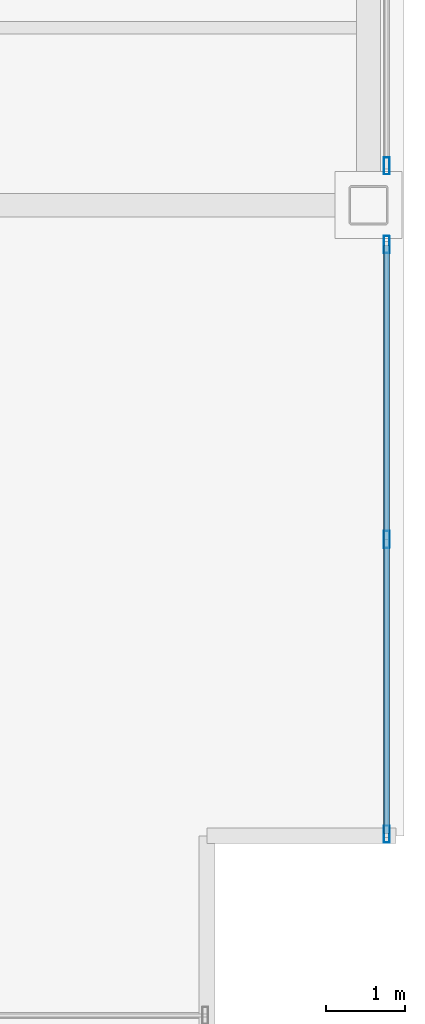
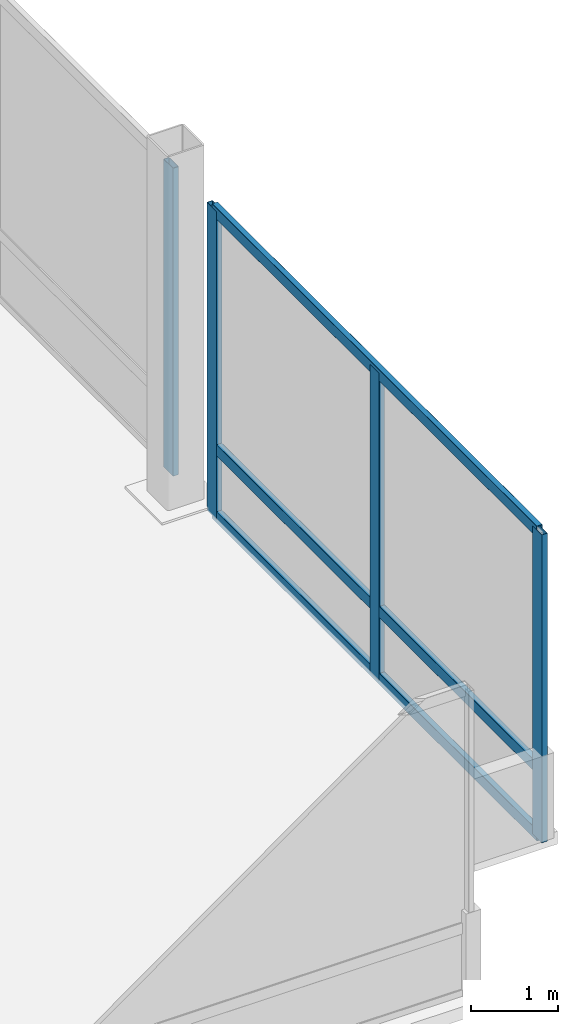
# One storey, part 11 of 22: 7 members, 2 elements without a shape of their own.
"""IFC4 building model written with IfcOpenShell, lengths in metres."""

import ifcopenshell
import ifcopenshell.guid

model = None  # the IFC model being written
_history = None  # IfcOwnerHistory: only IFC2X3 demands one
_inside = {}  # id of a spatial element -> (the spatial element, [elements in it])
_under = {}  # id of a project, library or spatial element -> (it, [spatial elements below it])
_declared = {}  # id of a project -> (the project, [libraries it declares])
_typed = {}  # id of a type object -> (the type object, [elements of that type])
_made_of = {}  # id of a material, layer set ... -> (it, [elements and type objects made of it])


def new_model(schema):
    """Start an empty IFC model of exactly this schema.

    Asked for "IFC4X3", IfcOpenShell would pick the latest addendum, in which some entities
    have other attributes; the version numbers below select the first issue.
    IFC2X3 requires an IfcOwnerHistory on every rooted entity: one is made here for all.
    """
    global model, _history
    if schema == "IFC4X3":
        model = ifcopenshell.file(schema_version=(4, 3, 0, 0))
    else:
        model = ifcopenshell.file(schema=schema)
    _inside.clear()
    _under.clear()
    _declared.clear()
    _typed.clear()
    _made_of.clear()
    _history = None
    if model.schema == "IFC2X3":
        org = make("IfcOrganization", Name="unknown")
        user = make(
            "IfcPersonAndOrganization",
            ThePerson=make("IfcPerson", FamilyName="unknown"),
            TheOrganization=org,
        )
        app = make(
            "IfcApplication",
            ApplicationDeveloper=org,
            Version="unknown",
            ApplicationFullName="unknown",
            ApplicationIdentifier="unknown",
        )
        _history = make(
            "IfcOwnerHistory",
            OwningUser=user,
            OwningApplication=app,
            ChangeAction="ADDED",
            CreationDate=0,
        )
    return model


def make(cls, **values):
    """One entity of the class cls with the attributes given. An attribute that is None is left unset."""
    return model.create_entity(
        cls, **{name: value for name, value in values.items() if value is not None}
    )


def rooted(cls, **values):
    """An entity with a GlobalId (a new one), such as an element, a storey or a relation."""
    return make(cls, GlobalId=ifcopenshell.guid.new(), OwnerHistory=_history, **values)


def si_unit(unit_type, name, prefix=None):
    """IfcSIUnit, for example si_unit("LENGTHUNIT", "METRE", prefix="MILLI")."""
    return make("IfcSIUnit", UnitType=unit_type, Prefix=prefix, Name=name)


def assignment(units):
    """IfcUnitAssignment: the units of a project."""
    return None if units is None else make("IfcUnitAssignment", Units=units)


def point(xyz):
    """IfcCartesianPoint."""
    return None if xyz is None else make("IfcCartesianPoint", Coordinates=xyz)


def direction(xyz):
    """IfcDirection."""
    return None if xyz is None else make("IfcDirection", DirectionRatios=xyz)


def frame(location, z_axis=None, x_axis=None):
    """IfcAxis2Placement3D, a coordinate frame: its origin and axes. An axis left out is left unset."""
    return make(
        "IfcAxis2Placement3D",
        Location=point(location),
        Axis=direction(z_axis),
        RefDirection=direction(x_axis),
    )


def frame_2d(location, x_axis=None):
    """IfcAxis2Placement2D, a coordinate frame in the plane: its origin and x axis."""
    return make(
        "IfcAxis2Placement2D", Location=point(location), RefDirection=direction(x_axis)
    )


def origin():
    """The frame at (0, 0, 0) with its axes left unset."""
    return frame((0.0, 0.0, 0.0))


def origin_2d():
    """The frame at (0, 0) in the plane with its x axis left unset."""
    return frame_2d((0.0, 0.0))


def place(relative_to, where):
    """IfcLocalPlacement: puts the frame where relative to a parent placement (None: the world)."""
    return make(
        "IfcLocalPlacement", PlacementRelTo=relative_to, RelativePlacement=where
    )


def context(
    kind, dimensions, precision=None, world=None, true_north=None, identifier=None
):
    """IfcGeometricRepresentationContext, for example the 3D "Model" context."""
    return make(
        "IfcGeometricRepresentationContext",
        ContextIdentifier=identifier,
        ContextType=kind,
        CoordinateSpaceDimension=dimensions,
        Precision=precision,
        WorldCoordinateSystem=world,
        TrueNorth=true_north,
    )


def subcontext(parent, identifier, kind, view, scale=None):
    """IfcGeometricRepresentationSubContext, for example "Body" below "Model"."""
    return make(
        "IfcGeometricRepresentationSubContext",
        ContextIdentifier=identifier,
        ContextType=kind,
        ParentContext=parent,
        TargetScale=scale,
        TargetView=view,
    )


def project(units=None, contexts=None):
    """IfcProject with its units and contexts."""
    return rooted(
        "IfcProject",
        Name="project",
        RepresentationContexts=contexts,
        UnitsInContext=assignment(units),
    )


def spatial(cls, under=None, at=None, **own):
    """A site, building, storey or space (cls), placed at a placement, below another one or the project."""
    s = rooted(cls, ObjectPlacement=at, **own)
    if under is not None:
        _under.setdefault(under.id(), (under, []))[1].append(s)
    return s


def profile(cls, at=None, kind="AREA", **sizes):
    """A parametric profile (cls). Its sizes go by their IFC names, for example OverallWidth=200.0."""
    return make(cls, ProfileType=kind, Position=at, **sizes)


def hollow_rectangle(**sizes):
    """IfcRectangleHollowProfileDef."""
    return profile("IfcRectangleHollowProfileDef", **sizes)


def extrude(swept, where, along, depth):
    """IfcExtrudedAreaSolid: the profile swept, set in the frame where, extruded along a direction by depth."""
    return make(
        "IfcExtrudedAreaSolid",
        SweptArea=swept,
        Position=where,
        ExtrudedDirection=direction(along),
        Depth=depth,
    )


def shape(context_of_items, identifier, shape_type, items):
    """IfcShapeRepresentation: the items that make up one representation, for example the "Body"."""
    return make(
        "IfcShapeRepresentation",
        ContextOfItems=context_of_items,
        RepresentationIdentifier=identifier,
        RepresentationType=shape_type,
        Items=items,
    )


def material(Name=None, Category=None):
    """IfcMaterial."""
    return make("IfcMaterial", Name=Name, Category=Category)


def material_profile(
    of_material, cross_section, Name=None, Category=None, Priority=None
):
    """IfcMaterialProfile: a cross section and its material."""
    return make(
        "IfcMaterialProfile",
        Name=Name,
        Material=of_material,
        Profile=cross_section,
        Priority=Priority,
        Category=Category,
    )


def profile_set(profiles, Name=None, composite=None):
    """IfcMaterialProfileSet."""
    return make(
        "IfcMaterialProfileSet",
        Name=Name,
        MaterialProfiles=profiles,
        CompositeProfile=composite,
    )


def made_of(thing, what):
    """Note that an element or type object is made of a material, layer set ...; save() writes the relation."""
    if what is not None:
        _made_of.setdefault(what.id(), (what, []))[1].append(thing)
    return thing


def type_object(cls, material=None, **own):
    """A type object (cls), such as IfcWallType, which elements share."""
    return made_of(rooted(cls, **own), material)


def element(
    cls,
    number,
    at=None,
    inside=None,
    cuts=None,
    type_object=None,
    material=None,
    context=None,
    identifier="Body",
    shape_type=None,
    held_by="IfcProductDefinitionShape",
    body=None,
    shapes=None,
    **own,
):
    """One element of the class cls, such as IfcWall. Its Tag is "e" and its number.

    at: its placement. inside: the storey or other place that contains it. cuts: it is an
    opening in that element (IfcRelVoidsElement). A single representation is given by context,
    identifier, shape_type and body (its items); several are given by shapes. held_by: the class
    of the entity that holds the representations. save() writes the other relations.
    """
    e = rooted(cls, Tag="e%d" % number, ObjectPlacement=at, **own)
    if body is not None:
        shapes = [shape(context, identifier, shape_type, body)]
    if shapes is not None:
        e.Representation = make(held_by, Representations=shapes)
    if inside is not None:
        _inside.setdefault(inside.id(), (inside, []))[1].append(e)
    if cuts is not None:
        rooted(
            "IfcRelVoidsElement", RelatingBuildingElement=cuts, RelatedOpeningElement=e
        )
    if type_object is not None:
        _typed.setdefault(type_object.id(), (type_object, []))[1].append(e)
    return made_of(e, material)


def aggregate(whole, parts):
    """IfcRelAggregates: a whole, such as a stair, and the parts it consists of."""
    return rooted("IfcRelAggregates", RelatingObject=whole, RelatedObjects=parts)


def save(model, path):
    """Write the relations noted so far, then the file.

    IfcRelAggregates (storeys below a building ...), IfcRelContainedInSpatialStructure (elements
    in a storey), IfcRelDefinesByType, IfcRelAssociatesMaterial and IfcRelDeclares: one each for
    every whole, place, type object, material and project.
    """
    for whole, parts in _under.values():
        aggregate(whole, parts)
    for where, things in _inside.values():
        rooted(
            "IfcRelContainedInSpatialStructure",
            RelatedElements=things,
            RelatingStructure=where,
        )
    for kind, things in _typed.values():
        rooted("IfcRelDefinesByType", RelatedObjects=things, RelatingType=kind)
    for what, things in _made_of.values():
        rooted("IfcRelAssociatesMaterial", RelatedObjects=things, RelatingMaterial=what)
    for by, libraries in _declared.values():
        rooted("IfcRelDeclares", RelatingContext=by, RelatedDefinitions=libraries)
    model.write(path)


model = new_model("IFC4")

# Units and contexts
model_context = context("Model", 3, precision=1e-05, world=origin(), true_north=direction((0.0, 1.0)))
body_context = subcontext(model_context, "Body", "Model", "MODEL_VIEW")
ifc_project = project(units=[si_unit("LENGTHUNIT", "METRE"), si_unit("AREAUNIT", "SQUARE_METRE"), si_unit("VOLUMEUNIT", "CUBIC_METRE"), si_unit("PLANEANGLEUNIT", "RADIAN"), si_unit("MASSUNIT", "GRAM", prefix="KILO")], contexts=[model_context])

# Site, building, storey
site_placement = place(None, origin())
site = spatial("IfcSite", under=ifc_project, at=site_placement, CompositionType="ELEMENT")
building_placement = place(site_placement, origin())
building = spatial("IfcBuilding", under=site, at=building_placement, Name="Noeulbin Bourse Tower", CompositionType="ELEMENT")
storey_placement = place(building_placement, frame((0.0, 0.0, 106.0)))
storey = spatial("IfcBuildingStorey", under=building, at=storey_placement, Name="L26", CompositionType="ELEMENT", Elevation=106.0)

# Curtain wall, members
ifc_material_1 = material(Name="Dark Tinted Triple Glazing", Category="glass")
curtain_wall_type = type_object("IfcCurtainWallType", Name="CW-SYS-3", PredefinedType="NOTDEFINED", material=ifc_material_1)
curtain_wall_1_placement = place(storey_placement, origin())
curtain_wall_1 = element("IfcCurtainWall", 1, at=curtain_wall_1_placement, inside=storey, type_object=curtain_wall_type, Name="Unitised Curtain Wall CW-L26-E-S1", PredefinedType="NOTDEFINED")
ifc_material_2 = material(Name="Anodised Aluminium 6063-T6", Category="aluminium")
ifc_material_profile_1 = material_profile(ifc_material_2, hollow_rectangle(XDim=0.074951171875, YDim=0.219970703125, WallThickness=0.0048828125, InnerFilletRadius=0.00244140625, OuterFilletRadius=0.0048828125, at=origin_2d()), Name="ALU-MULL-75x220x5", Category="LoadBearing")
ifc_profile_set_1 = profile_set([ifc_material_profile_1], Name="Anodised Aluminium 6063-T6")
member_type_1 = type_object("IfcMemberType", Name="CW-SYS-3-MUL", PredefinedType="MULLION", material=ifc_profile_set_1)
member_1_placement = place(storey_placement, frame((57.280029296875, 12.02001953125, -0.02001953125), z_axis=(0.0, 0.0, 1.0), x_axis=(1.0, 0.0, 0.0)))
member_1 = element("IfcMember", 2, at=member_1_placement, type_object=member_type_1, Name="Curtain Wall Mullion CW-L26-E-S1-M00", PredefinedType="MULLION", context=body_context, shape_type="SweptSolid", body=[
    extrude(hollow_rectangle(XDim=0.074951171875, YDim=0.219970703125, WallThickness=0.0048828125, InnerFilletRadius=0.00244140625, OuterFilletRadius=0.0048828125, at=origin_2d()), origin(), (0.0, 0.0, 1.0), 4.320068359375),
])
member_2_placement = place(storey_placement, frame((57.280029296875, 15.760009765625, -0.02001953125), z_axis=(0.0, 0.0, 1.0), x_axis=(1.0, 0.0, 0.0)))
member_2 = element("IfcMember", 3, at=member_2_placement, type_object=member_type_1, Name="Curtain Wall Mullion CW-L26-E-S1-M01", PredefinedType="MULLION", context=body_context, shape_type="SweptSolid", body=[
    extrude(hollow_rectangle(XDim=0.074951171875, YDim=0.219970703125, WallThickness=0.0048828125, InnerFilletRadius=0.00244140625, OuterFilletRadius=0.0048828125, at=origin_2d()), origin(), (0.0, 0.0, 1.0), 4.320068359375),
])
member_3_placement = place(storey_placement, frame((57.280029296875, 19.5, -0.02001953125), z_axis=(0.0, 0.0, 1.0), x_axis=(1.0, 0.0, 0.0)))
member_3 = element("IfcMember", 4, at=member_3_placement, type_object=member_type_1, Name="Curtain Wall Mullion CW-L26-E-S1-M02", PredefinedType="MULLION", context=body_context, shape_type="SweptSolid", body=[
    extrude(hollow_rectangle(XDim=0.074951171875, YDim=0.219970703125, WallThickness=0.0048828125, InnerFilletRadius=0.00244140625, OuterFilletRadius=0.0048828125, at=origin_2d()), origin(), (0.0, 0.0, 1.0), 4.320068359375),
])

# Curtain wall, member
curtain_wall_2_placement = place(storey_placement, origin())
curtain_wall_2 = element("IfcCurtainWall", 5, at=curtain_wall_2_placement, inside=storey, type_object=curtain_wall_type, Name="Unitised Curtain Wall CW-L26-E-S2", PredefinedType="NOTDEFINED")
member_4_placement = place(storey_placement, frame((57.280029296875, 20.5, -0.02001953125), z_axis=(0.0, 0.0, 1.0), x_axis=(1.0, 0.0, 0.0)))
member_4 = element("IfcMember", 6, at=member_4_placement, type_object=member_type_1, Name="Curtain Wall Mullion CW-L26-E-S2-M00", PredefinedType="MULLION", context=body_context, shape_type="SweptSolid", body=[
    extrude(hollow_rectangle(XDim=0.074951171875, YDim=0.219970703125, WallThickness=0.0048828125, InnerFilletRadius=0.00244140625, OuterFilletRadius=0.0048828125, at=origin_2d()), origin(), (0.0, 0.0, 1.0), 4.320068359375),
])
aggregate(curtain_wall_2, [member_4])

# Member
ifc_material_profile_2 = material_profile(ifc_material_2, hollow_rectangle(XDim=0.074951171875, YDim=0.159912109375, WallThickness=0.0048828125, InnerFilletRadius=0.00244140625, OuterFilletRadius=0.0048828125, at=origin_2d()), Name="ALU-TRAN-75x160x5", Category="LoadBearing")
ifc_profile_set_2 = profile_set([ifc_material_profile_2], Name="Anodised Aluminium 6063-T6")
member_type_2 = type_object("IfcMemberType", Name="CW-SYS-3-TRN", PredefinedType="USERDEFINED", material=ifc_profile_set_2)
member_5_placement = place(storey_placement, frame((57.280029296875, 12.030029296875, 0.010009765625), z_axis=(0.0, 1.0, 0.0), x_axis=(-1.0, 0.0, 0.0)))
member_5 = element("IfcMember", 7, at=member_5_placement, type_object=member_type_2, Name="Curtain Wall Transom CW-L26-E-S1-T00", ObjectType="TRANSOM", PredefinedType="USERDEFINED", context=body_context, shape_type="SweptSolid", body=[
    extrude(hollow_rectangle(XDim=0.074951171875, YDim=0.159912109375, WallThickness=0.0048828125, InnerFilletRadius=0.00244140625, OuterFilletRadius=0.0048828125, at=origin_2d()), origin(), (0.0, 0.0, 1.0), 7.4599609375),
])

member_6_placement = place(storey_placement, frame((57.280029296875, 12.030029296875, 0.949951171875), z_axis=(0.0, 1.0, 0.0), x_axis=(-1.0, 0.0, 0.0)))
member_6 = element("IfcMember", 8, at=member_6_placement, type_object=member_type_2, Name="Curtain Wall Transom CW-L26-E-S1-T01", ObjectType="TRANSOM", PredefinedType="USERDEFINED", context=body_context, shape_type="SweptSolid", body=[
    extrude(hollow_rectangle(XDim=0.074951171875, YDim=0.159912109375, WallThickness=0.0048828125, InnerFilletRadius=0.00244140625, OuterFilletRadius=0.0048828125, at=origin_2d()), origin(), (0.0, 0.0, 1.0), 7.4599609375),
])

member_7_placement = place(storey_placement, frame((57.280029296875, 12.030029296875, 4.27001953125), z_axis=(0.0, 1.0, 0.0), x_axis=(-1.0, 0.0, 0.0)))
member_7 = element("IfcMember", 9, at=member_7_placement, type_object=member_type_2, Name="Curtain Wall Transom CW-L26-E-S1-T02", ObjectType="TRANSOM", PredefinedType="USERDEFINED", context=body_context, shape_type="SweptSolid", body=[
    extrude(hollow_rectangle(XDim=0.074951171875, YDim=0.159912109375, WallThickness=0.0048828125, InnerFilletRadius=0.00244140625, OuterFilletRadius=0.0048828125, at=origin_2d()), origin(), (0.0, 0.0, 1.0), 7.4599609375),
])

aggregate(curtain_wall_1, [member_1, member_2, member_3, member_5, member_6, member_7])

save(model, "model.ifc")
